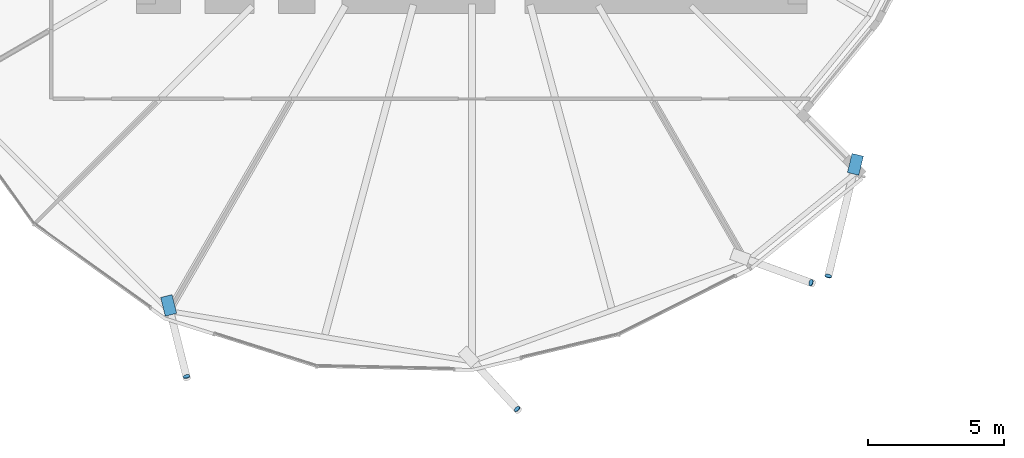
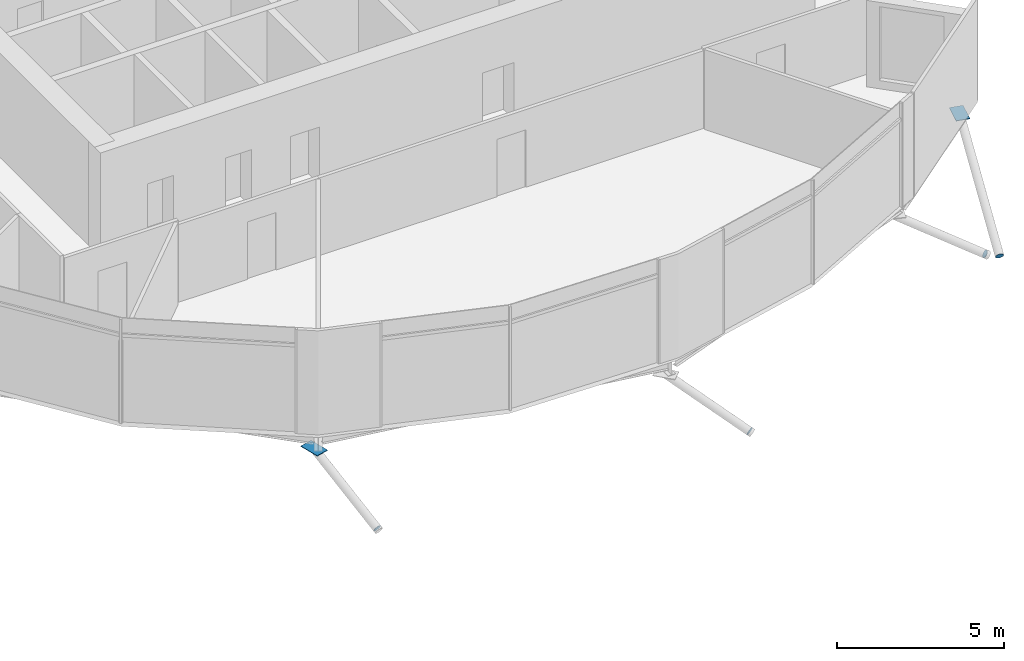
# One storey, part 34 of 39: 6 discrete accessories.
"""IFC4 building model written with IfcOpenShell, lengths in metres."""

from ifc_helpers import new_model, si_unit, direction, frame, origin, origin_2d, place, context, subcontext, project, spatial, polyline, rectangle, circle, outline, extrude, material, material_profile, profile_set, type_object, element, save


model = new_model("IFC4")

# Units and contexts
model_context = context("Model", 3, precision=1e-05, world=origin(), true_north=direction((0.0, 1.0)))
body_context = subcontext(model_context, "Body", "Model", "MODEL_VIEW")
ifc_project = project(units=[si_unit("LENGTHUNIT", "METRE"), si_unit("AREAUNIT", "SQUARE_METRE"), si_unit("VOLUMEUNIT", "CUBIC_METRE"), si_unit("PLANEANGLEUNIT", "RADIAN"), si_unit("MASSUNIT", "GRAM", prefix="KILO")], contexts=[model_context])

# Site, building, storey
site_placement = place(None, origin())
site = spatial("IfcSite", under=ifc_project, at=site_placement, CompositionType="ELEMENT")
building_placement = place(site_placement, origin())
building = spatial("IfcBuilding", under=site, at=building_placement, Name="Rimbun Link Towers", CompositionType="ELEMENT")
storey_placement = place(building_placement, frame((0.0, 0.0, 143.0)))
storey = spatial("IfcBuildingStorey", under=building, at=storey_placement, Name="L34", CompositionType="ELEMENT", Elevation=143.0)

# Discrete accessories
ifc_material_1 = material(Name="Steel S355J2H", Category="steel")
ifc_material_profile_1 = material_profile(ifc_material_1, circle(Radius=0.1240234375, at=origin_2d()), Name="PL D248")
ifc_profile_set_1 = profile_set([ifc_material_profile_1], Name="Steel S355J2H")
discrete_accessory_type_1 = type_object("IfcDiscreteAccessoryType", Name="Link foot sealing plate D248X20", PredefinedType="BRACKET", material=ifc_profile_set_1)
discrete_accessory_1_placement = place(storey_placement, frame((21.236083984375, -21.7216796875, -2.42822265625), z_axis=(0.209350715718, -0.837402862872, -0.50490466732), x_axis=(0.970142500145, 0.242535625036, 0.0)))
element("IfcDiscreteAccessory", 1, at=discrete_accessory_1_placement, inside=storey, type_object=discrete_accessory_type_1, Name="Link foot sealing plate T2 L34 13", PredefinedType="BRACKET", context=body_context, shape_type="SweptSolid", body=[
    extrude(circle(Radius=0.1240234375, at=origin_2d()), origin(), (0.0, 0.0, 1.0), 0.019775390625),
])
for number, where, z_axis, x_axis, name in (
    (2, (33.41357421875, -22.9189453125, -2.424560546875), (0.583287625132, -0.631894927227, -0.510376671991), (0.734803444627, 0.678280102733, 0.0), "Link foot sealing plate T2 L34 15"),
    (3, (44.237548828125, -18.27001953125, -2.55712890625), (0.794694665491, -0.281199650866, -0.537947158179), (0.333578650439, 0.942722272979, 0.0), "Link foot sealing plate T2 L34 17"),
    (4, (44.884765625, -18.020263671875, -2.998046875), (-0.206322227095, -0.849562111568, -0.485464063753), (0.971753703944, -0.235997328101, 0.0), "Link foot sealing plate T2 L34 18"),
):
    element("IfcDiscreteAccessory", number, at=place(storey_placement, frame(where, z_axis=z_axis, x_axis=x_axis)), inside=storey, type_object=discrete_accessory_type_1, Name=name, PredefinedType="BRACKET", context=body_context, shape_type="SweptSolid", body=[
        extrude(circle(Radius=0.1240234375, at=origin_2d()), origin(), (0.0, 0.0, 1.0), 0.02001953125),
    ])
ifc_material_2 = material(Name="Steel S355J2H", Category="steel")
ifc_material_profile_2 = material_profile(ifc_material_2, rectangle(XDim=0.43310546875, YDim=0.43310546875, at=origin_2d()), Name="PL 433x433")
ifc_profile_set_2 = profile_set([ifc_material_profile_2], Name="Steel S355J2H")
discrete_accessory_type_2 = type_object("IfcDiscreteAccessoryType", Name="Link head end plate 433X20", PredefinedType="BRACKET", material=ifc_profile_set_2)
discrete_accessory_2_placement = place(storey_placement, frame((0.0, 0.0, -0.883544921875)))
element("IfcDiscreteAccessory", 5, at=discrete_accessory_2_placement, inside=storey, type_object=discrete_accessory_type_2, Name="Link head end plate T2 L34 13", PredefinedType="BRACKET", context=body_context, shape_type="SweptSolid", body=[
    extrude(outline(polyline([(20.283935546875, -18.816650390625), (20.456298828125, -19.50439453125), (20.87646484375, -19.39892578125), (20.703857421875, -18.71142578125), (20.283935546875, -18.816650390625)])), origin(), (0.0, 0.0, 1.0), 0.02001953125),
])
discrete_accessory_3_placement = place(storey_placement, frame((0.0, 0.0, -0.6533203125)))
element("IfcDiscreteAccessory", 6, at=discrete_accessory_3_placement, inside=storey, type_object=discrete_accessory_type_2, Name="Link head end plate T2 L34 18", PredefinedType="BRACKET", context=body_context, shape_type="SweptSolid", body=[
    extrude(outline(polyline([(45.755615234375, -13.510986328125), (45.585205078125, -14.21337890625), (46.005859375, -14.315185546875), (46.17626953125, -13.61279296875), (45.755615234375, -13.510986328125)])), origin(), (0.0, 0.0, 1.0), 0.02001953125),
])

save(model, "model.ifc")
